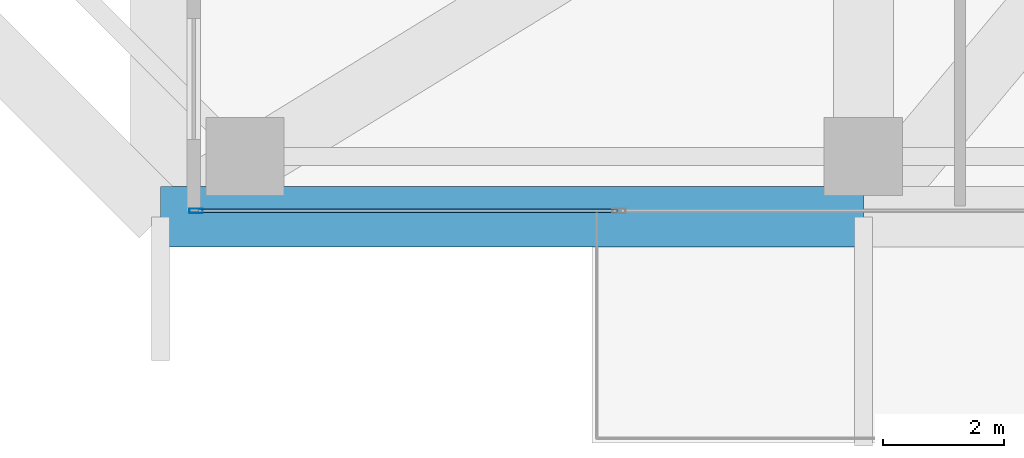
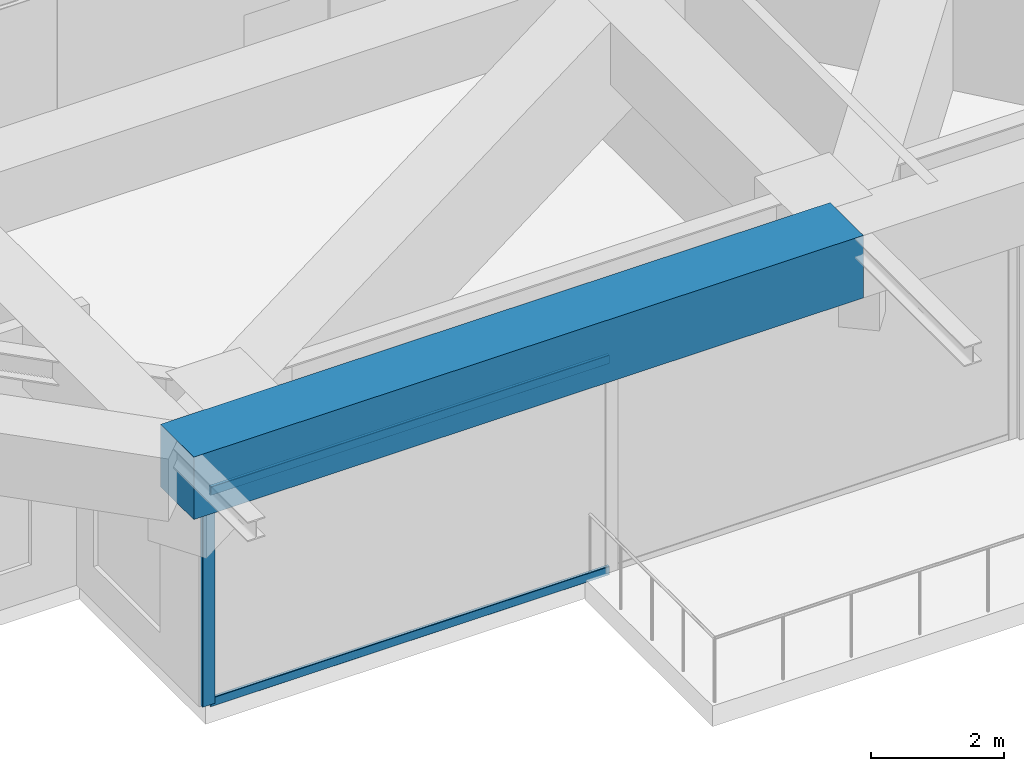
# One storey, part 2 of 38: 3 members, 1 beam, 1 element without a shape of its own.
"""IFC4 building model written with IfcOpenShell, lengths in metres."""

from ifc_helpers import new_model, si_unit, direction, frame, origin, origin_2d, place, context, subcontext, project, spatial, rectangle, hollow_rectangle, extrude, source, transform, mapped, material, layer, layer_set, material_profile, profile_set, type_object, element, aggregate, save


model = new_model("IFC4")

# Units and contexts
model_context = context("Model", 3, precision=1e-05, world=origin(), true_north=direction((0.0, 1.0)))
body_context = subcontext(model_context, "Body", "Model", "MODEL_VIEW")
ifc_project = project(units=[si_unit("LENGTHUNIT", "METRE"), si_unit("AREAUNIT", "SQUARE_METRE"), si_unit("VOLUMEUNIT", "CUBIC_METRE"), si_unit("PLANEANGLEUNIT", "RADIAN"), si_unit("MASSUNIT", "GRAM", prefix="KILO")], contexts=[model_context])

# Site, building, storey
site_placement = place(None, origin())
site = spatial("IfcSite", under=ifc_project, at=site_placement, CompositionType="ELEMENT")
building_placement = place(site_placement, origin())
building = spatial("IfcBuilding", under=site, at=building_placement, Name="Serunith Strait Residences", CompositionType="ELEMENT")
storey_placement = place(building_placement, frame((0.0, 0.0, 204.89990234375)))
storey = spatial("IfcBuildingStorey", under=building, at=storey_placement, Name="L51", CompositionType="ELEMENT", Elevation=204.89990234375)

# Beam
ifc_material_1 = material(Name="Concrete C80/95", Category="concrete")
ifc_material_profile_1 = material_profile(ifc_material_1, rectangle(XDim=1.0, YDim=1.14990234375, at=origin_2d()), Name="RC 1000x1150")
ifc_profile_set_1 = profile_set([ifc_material_profile_1], Name="Concrete C80/95")
beam_type = type_object("IfcBeamType", Name="BM-XFER-1000x1150", PredefinedType="BEAM", material=ifc_profile_set_1)
shared_shape_1 = source(origin(), body_context, "Body", "SweptSolid", [
    extrude(rectangle(XDim=1.0, YDim=1.14990234375, at=origin_2d()), origin(), (0.0, 0.0, 1.0), 11.64990234375),
])
beam_placement = place(storey_placement, frame((16.25, 2.10009765625, 4.53515625), z_axis=(1.0, 0.0, 0.0), x_axis=(0.0, 1.0, 0.0)))
element("IfcBeam", 1, at=beam_placement, inside=storey, type_object=beam_type, Name="L51 Flare Upper Ring Transfer Girder 01", PredefinedType="BEAM", context=body_context, shape_type="MappedRepresentation", body=[
    mapped(shared_shape_1, transform((0.0, 0.0, 0.0), scale=1.0)),
])

# Curtain wall, members
ifc_material_2 = material(Name="Pale-Silver PVDF Aluminium", Category="aluminium")
ifc_layer = layer(ifc_material_2, 0.199951171875, Name="Pale-Silver PVDF Aluminium")
ifc_layer_set = layer_set([ifc_layer], Name="Pale-Silver PVDF Aluminium")
curtain_wall_type = type_object("IfcCurtainWallType", Name="CW-SYS3", PredefinedType="NOTDEFINED", material=ifc_layer_set)
curtain_wall_placement = place(storey_placement, origin())
curtain_wall = element("IfcCurtainWall", 2, at=curtain_wall_placement, inside=storey, type_object=curtain_wall_type, Name="L51 S Unitised Fritted Curtain Wall", PredefinedType="NOTDEFINED")
ifc_material_profile_2 = material_profile(ifc_material_2, hollow_rectangle(XDim=0.074951171875, YDim=0.219970703125, WallThickness=0.00390625, InnerFilletRadius=0.006103515625, OuterFilletRadius=0.010009765625, at=origin_2d()), Name="ALU 220x75x4")
ifc_profile_set_2 = profile_set([ifc_material_profile_2], Name="Pale-Silver PVDF Aluminium")
member_type_1 = type_object("IfcMemberType", Name="CW-SYS3-MULL", PredefinedType="MULLION", material=ifc_profile_set_2)
shared_shape_2 = source(origin(), body_context, "Body", "SweptSolid", [
    extrude(hollow_rectangle(XDim=0.074951171875, YDim=0.219970703125, WallThickness=0.00390625, InnerFilletRadius=0.006103515625, OuterFilletRadius=0.010009765625, at=origin_2d()), origin(), (0.0, 0.0, 1.0), 3.945068359375),
])
member_1_placement = place(storey_placement, frame((16.83740234375, 2.199951171875, 0.0), z_axis=(0.0, 0.0, 1.0), x_axis=(0.0, 1.0, 0.0)))
member_1 = element("IfcMember", 3, at=member_1_placement, type_object=member_type_1, Name="CW-3 mullion 1", PredefinedType="MULLION", context=body_context, shape_type="MappedRepresentation", body=[
    mapped(shared_shape_2, transform((0.0, 0.0, 0.0), scale=1.0)),
])
ifc_material_profile_3 = material_profile(ifc_material_2, hollow_rectangle(XDim=0.06005859375, YDim=0.159912109375, WallThickness=0.00341796875, InnerFilletRadius=0.00537109375, OuterFilletRadius=0.0087890625, at=origin_2d()), Name="ALU 160x60x3.5")
ifc_profile_set_3 = profile_set([ifc_material_profile_3], Name="Pale-Silver PVDF Aluminium")
member_type_2 = type_object("IfcMemberType", Name="CW-SYS3-TRAN", PredefinedType="USERDEFINED", material=ifc_profile_set_3)
shared_shape_3 = source(origin(), body_context, "Body", "SweptSolid", [
    extrude(hollow_rectangle(XDim=0.06005859375, YDim=0.159912109375, WallThickness=0.00341796875, InnerFilletRadius=0.00537109375, OuterFilletRadius=0.0087890625, at=origin_2d()), origin(), (0.0, 0.0, 1.0), 6.9375),
])
member_2_placement = place(storey_placement, frame((16.875, 2.199951171875, 0.030029296875), z_axis=(1.0, 0.0, 0.0), x_axis=(0.0, 1.0, 0.0)))
member_2 = element("IfcMember", 4, at=member_2_placement, type_object=member_type_2, Name="CW-3 transom 1.1", ObjectType="TRANSOM", PredefinedType="USERDEFINED", context=body_context, shape_type="MappedRepresentation", body=[
    mapped(shared_shape_3, transform((0.0, 0.0, 0.0), scale=1.0)),
])
member_3_placement = place(storey_placement, frame((16.875, 2.199951171875, 3.9150390625), z_axis=(1.0, 0.0, 0.0), x_axis=(0.0, 1.0, 0.0)))
member_3 = element("IfcMember", 5, at=member_3_placement, type_object=member_type_2, Name="CW-3 transom 1.2", ObjectType="TRANSOM", PredefinedType="USERDEFINED", context=body_context, shape_type="MappedRepresentation", body=[
    mapped(shared_shape_3, transform((0.0, 0.0, 0.0), scale=1.0)),
])
aggregate(curtain_wall, [member_1, member_2, member_3])

save(model, "model.ifc")
